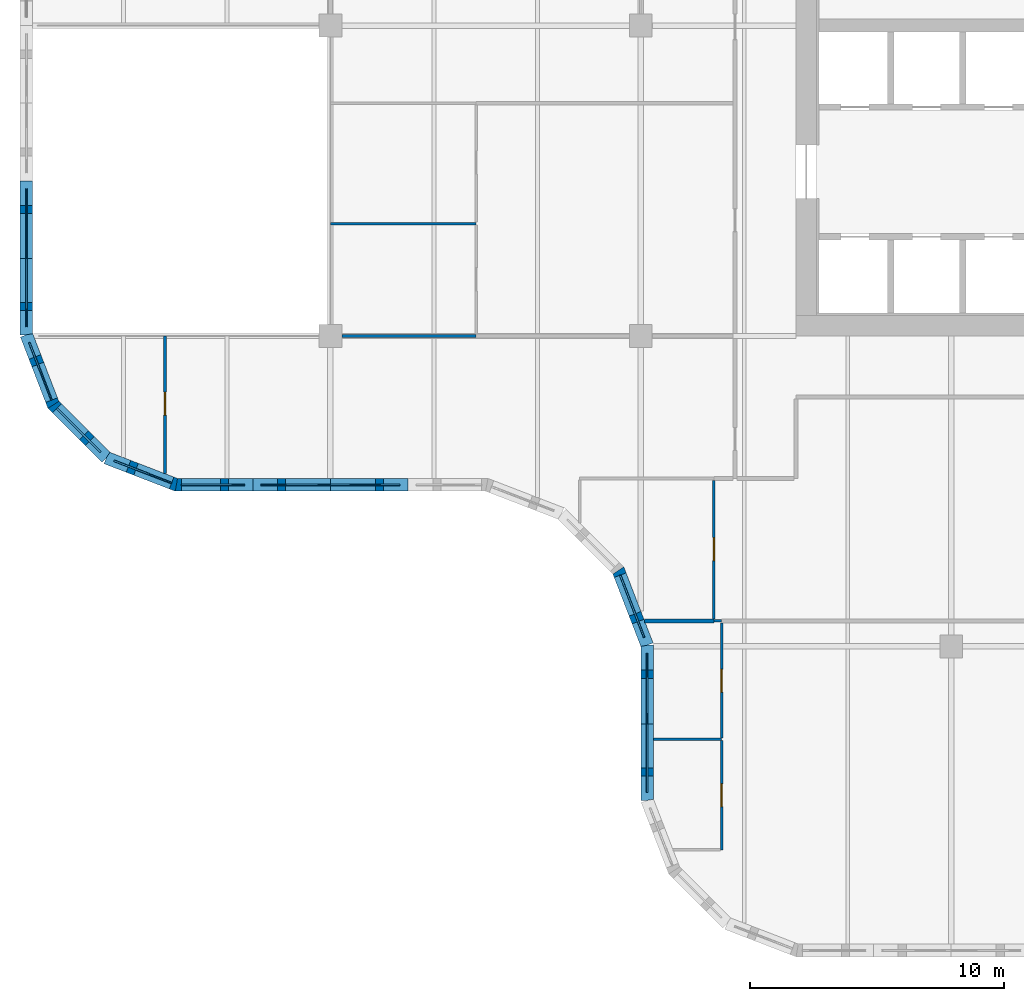
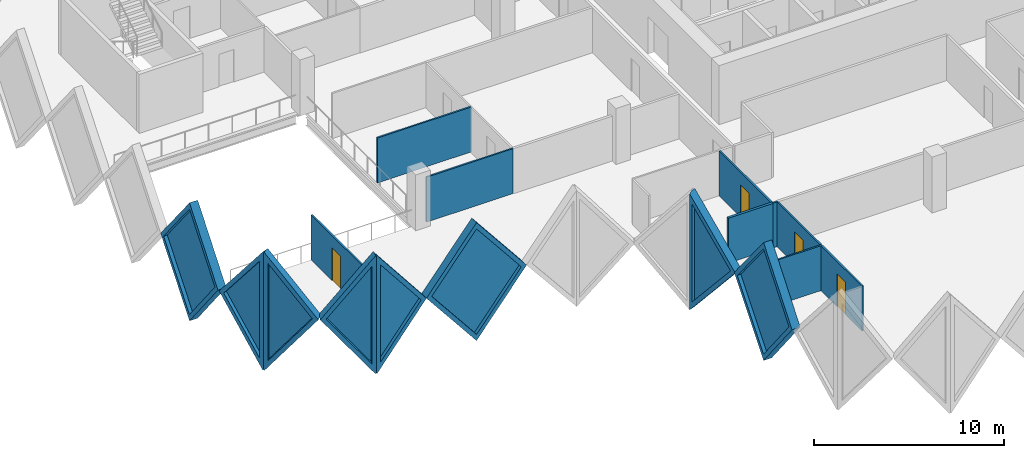
# One storey, part 4 of 21: 17 walls, 8 plates, 4 doors, 12 openings.
"""IFC4 building model written with IfcOpenShell, lengths in metres."""

from ifc_helpers import new_model, si_unit, direction, frame, frame_2d, origin, place, context, subcontext, project, spatial, polyline, rectangle, outline, extrude, faceted_brep, source, transform, mapped, material, layer, layer_set, type_object, element, fill, save


model = new_model("IFC4")

# Units and contexts
model_context = context("Model", 3, precision=1e-05, world=origin(), true_north=direction((0.0, 1.0)))
body_context = subcontext(model_context, "Body", "Model", "MODEL_VIEW")
ifc_project = project(units=[si_unit("LENGTHUNIT", "METRE"), si_unit("AREAUNIT", "SQUARE_METRE"), si_unit("VOLUMEUNIT", "CUBIC_METRE"), si_unit("PLANEANGLEUNIT", "RADIAN"), si_unit("MASSUNIT", "GRAM", prefix="KILO")], contexts=[model_context])

# Site, building, storey
site_placement = place(None, origin())
site = spatial("IfcSite", under=ifc_project, at=site_placement, CompositionType="ELEMENT")
building_placement = place(site_placement, origin())
building = spatial("IfcBuilding", under=site, at=building_placement, Name="Tessera Gate Towers", CompositionType="ELEMENT")
storey_placement = place(building_placement, frame((0.0, 0.0, 91.39990234375)))
storey = spatial("IfcBuildingStorey", under=building, at=storey_placement, Name="L22", CompositionType="ELEMENT", Elevation=91.39990234375)

# Wall, opening, door
ifc_material_1 = material(Name="Glass", Category="glass")
ifc_layer_1 = layer(ifc_material_1, 0.10009765625)
ifc_layer_set_1 = layer_set([ifc_layer_1], Name="GLAZED PARTITION 100")
wall_type_1 = type_object("IfcWallType", Name="GLAZED PARTITION 100", PredefinedType="PARTITIONING", material=ifc_layer_set_1)
wall_1_placement = place(storey_placement, frame((27.574951171875, 4.199951171875, 0.0), z_axis=(0.0, 0.0, 1.0), x_axis=(0.0, 1.0, 0.0)))
wall_1 = element("IfcWall", 1, at=wall_1_placement, inside=storey, type_object=wall_type_1, Name="T1-L22-PW-004", PredefinedType="PARTITIONING", context=body_context, shape_type="SweptSolid", body=[
    extrude(rectangle(XDim=4.296875, YDim=0.10009765625, at=frame_2d((2.1484375, 0.0))), origin(), (0.0, 0.0, 1.0), 2.89501953125),
])
shared_shape_1 = source(origin(), body_context, "Body", "SweptSolid", [
    extrude(rectangle(XDim=0.89990234375, YDim=2.10009765625, at=frame_2d((0.449951171875, 1.050048828125))), frame((0.0, 0.06005859375, 0.0), z_axis=(0.0, -1.0, 0.0), x_axis=(1.0, 0.0, 0.0)), (0.0, 0.0, 1.0), 0.1201171875),
])
opening_1_placement = place(wall_1_placement, frame((1.699951171875, 0.0, 0.0)))
opening_1 = element("IfcOpeningElement", 2, at=opening_1_placement, cuts=wall_1, Name="Opening D690-A08-08", PredefinedType="OPENING", context=body_context, shape_type="MappedRepresentation", body=[
    mapped(shared_shape_1, transform((0.0, 0.0, 0.0), scale=1.0)),
])
ifc_material_2 = material(Name="Glass in aluminium frame", Category="aluminium")
door_type = type_object("IfcDoorType", Name="GLAZED DOOR 900 NOT RATED", OperationType="NOTDEFINED", PredefinedType="DOOR", material=ifc_material_2)
shared_shape_2 = source(origin(), body_context, "Body", "SweptSolid", [
    extrude(rectangle(XDim=0.89990234375, YDim=2.10009765625, at=frame_2d((0.449951171875, 1.050048828125))), frame((0.0, 0.02490234375, 0.0), z_axis=(0.0, -1.0, 0.0), x_axis=(1.0, 0.0, 0.0)), (0.0, 0.0, 1.0), 0.050048828125),
])
door_1_placement = place(opening_1_placement, origin())
door_1 = element("IfcDoor", 3, at=door_1_placement, inside=storey, type_object=door_type, Name="T1-L22-PD-016", OperationType="SINGLE_SWING_LEFT", OverallHeight=2.10009765625, OverallWidth=0.89990234375, PredefinedType="DOOR", context=body_context, shape_type="MappedRepresentation", body=[
    mapped(shared_shape_2, transform((0.0, 0.0, 0.0), scale=1.0)),
])
fill(opening_1, door_1)

wall_2_placement = place(storey_placement, frame((27.574951171875, 8.598876953125, 0.0), z_axis=(0.0, 0.0, 1.0), x_axis=(0.0, 1.0, 0.0)))
wall_2 = element("IfcWall", 4, at=wall_2_placement, inside=storey, type_object=wall_type_1, Name="T1-L22-PW-007", PredefinedType="PARTITIONING", context=body_context, shape_type="SweptSolid", body=[
    extrude(rectangle(XDim=4.525146484375, YDim=0.10009765625, at=frame_2d((2.2626953125, 0.0))), origin(), (0.0, 0.0, 1.0), 2.89501953125),
])
opening_2_placement = place(wall_2_placement, frame((1.800048828125, 0.0, 0.0)))
opening_2 = element("IfcOpeningElement", 5, at=opening_2_placement, cuts=wall_2, Name="Opening D690-A08-02", PredefinedType="OPENING", context=body_context, shape_type="MappedRepresentation", body=[
    mapped(shared_shape_1, transform((0.0, 0.0, 0.0), scale=1.0)),
])
door_2_placement = place(opening_2_placement, origin())
door_2 = element("IfcDoor", 6, at=door_2_placement, inside=storey, type_object=door_type, Name="T1-L22-PD-005", OperationType="SINGLE_SWING_LEFT", OverallHeight=2.10009765625, OverallWidth=0.89990234375, PredefinedType="DOOR", context=body_context, shape_type="MappedRepresentation", body=[
    mapped(shared_shape_2, transform((0.0, 0.0, 0.0), scale=1.0)),
])
fill(opening_2, door_2)

# Wall
wall_3_placement = place(storey_placement, frame((27.27587890625, 13.199951171875, 0.0), z_axis=(0.0, 0.0, 1.0), x_axis=(1.0, 0.0, 0.0)))
element("IfcWall", 7, at=wall_3_placement, inside=storey, type_object=wall_type_1, Name="T1-L22-PW-010", PredefinedType="PARTITIONING", context=body_context, shape_type="SweptSolid", body=[
    extrude(rectangle(XDim=0.298095703125, YDim=0.10009765625, at=frame_2d((0.14892578125, 0.0))), origin(), (0.0, 0.0, 1.0), 2.89501953125),
])

# Wall, opening, door
wall_4_placement = place(storey_placement, frame((27.27490234375, 13.27587890625, 0.0), z_axis=(0.0, 0.0, 1.0), x_axis=(0.0, 1.0, 0.0)))
wall_4 = element("IfcWall", 8, at=wall_4_placement, inside=storey, type_object=wall_type_1, Name="T1-L22-PW-012", PredefinedType="PARTITIONING", context=body_context, shape_type="SweptSolid", body=[
    extrude(rectangle(XDim=5.4482421875, YDim=0.10009765625, at=frame_2d((2.72412109375, 0.0))), origin(), (0.0, 0.0, 1.0), 2.89501953125),
])
opening_3_placement = place(wall_4_placement, frame((2.300048828125, 0.0, 0.0)))
opening_3 = element("IfcOpeningElement", 9, at=opening_3_placement, cuts=wall_4, Name="Opening D690-A08-05", PredefinedType="OPENING", context=body_context, shape_type="MappedRepresentation", body=[
    mapped(shared_shape_1, transform((0.0, 0.0, 0.0), scale=1.0)),
])
door_3_placement = place(opening_3_placement, origin())
door_3 = element("IfcDoor", 10, at=door_3_placement, inside=storey, type_object=door_type, Name="T1-L22-PD-010", OperationType="SINGLE_SWING_LEFT", OverallHeight=2.10009765625, OverallWidth=0.89990234375, PredefinedType="DOOR", context=body_context, shape_type="MappedRepresentation", body=[
    mapped(shared_shape_2, transform((0.0, 0.0, 0.0), scale=1.0)),
])
fill(opening_3, door_3)

wall_5_placement = place(storey_placement, frame((5.699951171875, 18.990234375, 0.0), z_axis=(0.0, 0.0, 1.0), x_axis=(0.0, 1.0, 0.0)))
wall_5 = element("IfcWall", 11, at=wall_5_placement, inside=storey, type_object=wall_type_1, Name="T1-L22-PW-021", PredefinedType="PARTITIONING", context=body_context, shape_type="SweptSolid", body=[
    extrude(rectangle(XDim=5.40966796875, YDim=0.10009765625, at=frame_2d((2.704833984375, 0.0))), origin(), (0.0, 0.0, 1.0), 2.89501953125),
])
opening_4_placement = place(wall_5_placement, frame((2.300048828125, 0.0, 0.0)))
opening_4 = element("IfcOpeningElement", 12, at=opening_4_placement, cuts=wall_5, Name="Opening D690-A08-04", PredefinedType="OPENING", context=body_context, shape_type="MappedRepresentation", body=[
    mapped(shared_shape_1, transform((0.0, 0.0, 0.0), scale=1.0)),
])
door_4_placement = place(opening_4_placement, origin())
door_4 = element("IfcDoor", 13, at=door_4_placement, inside=storey, type_object=door_type, Name="T1-L22-PD-009", OperationType="SINGLE_SWING_LEFT", OverallHeight=2.10009765625, OverallWidth=0.89990234375, PredefinedType="DOOR", context=body_context, shape_type="MappedRepresentation", body=[
    mapped(shared_shape_2, transform((0.0, 0.0, 0.0), scale=1.0)),
])
fill(opening_4, door_4)

# Walls
wall_6_placement = place(storey_placement, frame((12.65087890625, 24.39990234375, 0.0), z_axis=(0.0, 0.0, 1.0), x_axis=(1.0, 0.0, 0.0)))
element("IfcWall", 14, at=wall_6_placement, inside=storey, type_object=wall_type_1, Name="T1-L22-PW-026", PredefinedType="PARTITIONING", context=body_context, shape_type="SweptSolid", body=[
    extrude(rectangle(XDim=5.273193359375, YDim=0.10009765625, at=frame_2d((2.63671875, 0.0))), origin(), (0.0, 0.0, 1.0), 2.89501953125),
])
ifc_material_3 = material(Name="Gypsum board on steel studs", Category="steel")
ifc_layer_2 = layer(ifc_material_3, 0.10009765625)
ifc_layer_set_2 = layer_set([ifc_layer_2], Name="PARTITION 100")
wall_type_2 = type_object("IfcWallType", Name="PARTITION 100", PredefinedType="PARTITIONING", material=ifc_layer_set_2)
wall_7_placement = place(storey_placement, frame((24.89990234375, 8.548095703125, 0.0), z_axis=(0.0, 0.0, 1.0), x_axis=(1.0, 0.0, 0.0)))
element("IfcWall", 15, at=wall_7_placement, inside=storey, type_object=wall_type_2, Name="T1-L22-PW-006", PredefinedType="PARTITIONING", context=body_context, shape_type="SweptSolid", body=[
    extrude(rectangle(XDim=2.675048828125, YDim=0.10009765625, at=frame_2d((1.33740234375, 0.0))), origin(), (0.0, 0.0, 1.0), 2.89501953125),
])
wall_8_placement = place(storey_placement, frame((12.199951171875, 28.820068359375, 0.0), z_axis=(0.0, 0.0, 1.0), x_axis=(1.0, 0.0, 0.0)))
element("IfcWall", 16, at=wall_8_placement, inside=storey, type_object=wall_type_2, Name="T1-L22-PW-030", PredefinedType="PARTITIONING", context=body_context, shape_type="SweptSolid", body=[
    extrude(rectangle(XDim=5.72509765625, YDim=0.10009765625, at=frame_2d((2.862548828125, 0.0))), origin(), (0.0, 0.0, 1.0), 2.89501953125),
])
ifc_material_4 = material(Name="Gypsum board on steel studs, mineral wool", Category="steel")
ifc_layer_3 = layer(ifc_material_4, 0.14990234375)
ifc_layer_set_3 = layer_set([ifc_layer_3], Name="TENANCY WALL 150")
wall_type_3 = type_object("IfcWallType", Name="TENANCY WALL 150", PredefinedType="PARTITIONING", material=ifc_layer_set_3)
wall_9_placement = place(storey_placement, frame((24.55029296875, 13.199951171875, 0.0), z_axis=(0.0, 0.0, 1.0), x_axis=(1.0, 0.0, 0.0)))
element("IfcWall", 17, at=wall_9_placement, inside=storey, type_object=wall_type_3, Name="T1-L22-PW-009", PredefinedType="PARTITIONING", context=body_context, shape_type="SweptSolid", body=[
    extrude(rectangle(XDim=2.724609375, YDim=0.14990234375, at=frame_2d((1.3623046875, 0.0))), origin(), (0.0, 0.0, 1.0), 2.89501953125),
])

# Wall, opening, plate
ifc_material_5 = material(Name="Precast concrete C60/75 white", Category="concrete")
ifc_layer_4 = layer(ifc_material_5, 0.5)
ifc_layer_set_4 = layer_set([ifc_layer_4], Name="TS3 corner tessera")
wall_type_4 = type_object("IfcWallType", Name="TS3 corner tessera", PredefinedType="SOLIDWALL", material=ifc_layer_set_4)
shared_shape_3 = source(origin(), body_context, "Body", "Brep", [
    faceted_brep([(0.046630859375, -0.25, 0.0), (3.050048828125, -0.25, 3.7998046875), (0.046630859375, -0.25, 7.599853515625), (0.0, -0.25, 7.539794921875), (0.0, -0.25, 0.06005859375), (0.09326171875, 0.25, 7.541015625), (3.050048828125, 0.25, 3.7998046875), (0.09326171875, 0.25, 0.058837890625), (0.046630859375, 0.0, 0.0), (0.046630859375, 0.0, 7.599853515625)], [[[0, 1, 2, 3, 4]], [[5, 6, 7]], [[7, 6, 1, 0, 8]], [[6, 5, 9, 2, 1]], [[3, 2, 9]], [[8, 0, 4]], [[7, 8, 4, 3, 9, 5]]]),
])
wall_10_placement = place(storey_placement, frame((6.099853515625, 18.550048828125, -3.7998046875), z_axis=(0.0, 0.0, 1.0), x_axis=(1.0, 0.0, 0.0)))
wall_10 = element("IfcWall", 18, at=wall_10_placement, inside=storey, type_object=wall_type_4, Name="Precast corner tessera T1 TS3-0498", PredefinedType="SOLIDWALL", context=body_context, shape_type="MappedRepresentation", body=[
    mapped(shared_shape_3, transform((0.0, 0.0, 0.0), scale=1.0)),
])
shared_shape_4 = source(origin(), body_context, "Body", "SweptSolid", [
    extrude(outline(polyline([(0.24658203125, 0.656005859375), (2.7314453125, 3.7998046875), (0.24658203125, 6.943603515625), (0.24658203125, 0.656005859375)])), frame((0.0, 0.260009765625, 0.0), z_axis=(0.0, -1.0, 0.0), x_axis=(1.0, 0.0, 0.0)), (0.0, 0.0, 1.0), 0.52001953125),
])
opening_5_placement = place(wall_10_placement, origin())
opening_5 = element("IfcOpeningElement", 19, at=opening_5_placement, cuts=wall_10, Name="Opening T1-PL2-0743", PredefinedType="OPENING", context=body_context, shape_type="MappedRepresentation", body=[
    mapped(shared_shape_4, transform((0.0, 0.0, 0.0), scale=1.0)),
])
ifc_material_6 = material(Name="Low-e laminated glass", Category="glass")
ifc_layer_5 = layer(ifc_material_6, 0.06005859375)
ifc_layer_set_5 = layer_set([ifc_layer_5], Name="PL2 rhombic pane")
plate_type = type_object("IfcPlateType", Name="PL2 rhombic pane", PredefinedType="SHEET", material=ifc_layer_set_5)
shared_shape_5 = source(origin(), body_context, "Body", "SweptSolid", [
    extrude(outline(polyline([(0.24658203125, 0.656005859375), (2.7314453125, 3.7998046875), (0.24658203125, 6.943603515625), (0.24658203125, 0.656005859375)])), frame((0.0, 0.030029296875, 0.0), z_axis=(0.0, -1.0, 0.0), x_axis=(1.0, 0.0, 0.0)), (0.0, 0.0, 1.0), 0.06005859375),
])
plate_1_placement = place(opening_5_placement, origin())
plate_1 = element("IfcPlate", 20, at=plate_1_placement, inside=storey, type_object=plate_type, Name="Glass pane T1 PL2-0743", PredefinedType="SHEET", context=body_context, shape_type="MappedRepresentation", body=[
    mapped(shared_shape_5, transform((0.0, 0.0, 0.0), scale=1.0)),
])
fill(opening_5, plate_1)

ifc_material_7 = material(Name="Precast concrete C60/75 white", Category="concrete")
ifc_layer_6 = layer(ifc_material_7, 0.5)
ifc_layer_set_6 = layer_set([ifc_layer_6], Name="TS1 tessera")
wall_type_5 = type_object("IfcWallType", Name="TS1 tessera", PredefinedType="SOLIDWALL", material=ifc_layer_set_6)
shared_shape_6 = source(origin(), body_context, "Body", "SweptSolid", [
    extrude(outline(polyline([(3.050048828125, 0.0), (6.10009765625, 3.7998046875), (3.050048828125, 7.599853515625), (0.0, 3.7998046875), (3.050048828125, 0.0)])), frame((0.0, 0.25, 0.0), z_axis=(0.0, -1.0, 0.0), x_axis=(1.0, 0.0, 0.0)), (0.0, 0.0, 1.0), 0.5),
])
wall_11_placement = place(storey_placement, frame((9.14990234375, 18.550048828125, -3.7998046875), z_axis=(0.0, 0.0, 1.0), x_axis=(1.0, 0.0, 0.0)))
wall_11 = element("IfcWall", 21, at=wall_11_placement, inside=storey, type_object=wall_type_5, Name="Precast tessera T1 TS1-0366", PredefinedType="SOLIDWALL", context=body_context, shape_type="MappedRepresentation", body=[
    mapped(shared_shape_6, transform((0.0, 0.0, 0.0), scale=1.0)),
])
shared_shape_7 = source(origin(), body_context, "Body", "SweptSolid", [
    extrude(outline(polyline([(3.050048828125, 0.3994140625), (5.779541015625, 3.7998046875), (3.050048828125, 7.200439453125), (0.320556640625, 3.7998046875), (3.050048828125, 0.3994140625)])), frame((0.0, 0.260009765625, 0.0), z_axis=(0.0, -1.0, 0.0), x_axis=(1.0, 0.0, 0.0)), (0.0, 0.0, 1.0), 0.52001953125),
])
opening_6_placement = place(wall_11_placement, origin())
opening_6 = element("IfcOpeningElement", 22, at=opening_6_placement, cuts=wall_11, Name="Opening T1-PL2-0744", PredefinedType="OPENING", context=body_context, shape_type="MappedRepresentation", body=[
    mapped(shared_shape_7, transform((0.0, 0.0, 0.0), scale=1.0)),
])
shared_shape_8 = source(origin(), body_context, "Body", "SweptSolid", [
    extrude(outline(polyline([(3.050048828125, 0.3994140625), (5.779541015625, 3.7998046875), (3.050048828125, 7.200439453125), (0.320556640625, 3.7998046875), (3.050048828125, 0.3994140625)])), frame((0.0, 0.030029296875, 0.0), z_axis=(0.0, -1.0, 0.0), x_axis=(1.0, 0.0, 0.0)), (0.0, 0.0, 1.0), 0.06005859375),
])
plate_2_placement = place(opening_6_placement, origin())
plate_2 = element("IfcPlate", 23, at=plate_2_placement, inside=storey, type_object=plate_type, Name="Glass pane T1 PL2-0744", PredefinedType="SHEET", context=body_context, shape_type="MappedRepresentation", body=[
    mapped(shared_shape_8, transform((0.0, 0.0, 0.0), scale=1.0)),
])
fill(opening_6, plate_2)

shared_shape_9 = source(origin(), body_context, "Body", "Brep", [
    faceted_brep([(3.050048828125, -0.25, 0.0), (6.053466796875, -0.25, 3.7998046875), (3.050048828125, -0.25, 7.599853515625), (0.0, -0.25, 3.7998046875), (0.0, 0.25, 3.7998046875), (3.050048828125, 0.25, 7.599853515625), (6.0068359375, 0.25, 3.858642578125), (6.0068359375, 0.25, 3.740966796875), (3.050048828125, 0.25, 0.0), (6.053466796875, 0.0, 3.7998046875)], [[[0, 1, 2, 3]], [[4, 5, 6, 7, 8]], [[8, 7, 9, 1, 0]], [[6, 5, 2, 1, 9]], [[5, 4, 3, 2]], [[4, 8, 0, 3]], [[9, 7, 6]]]),
])
wall_12_placement = place(storey_placement, frame((0.25, 30.5, -3.7998046875), z_axis=(0.0, 0.0, 1.0), x_axis=(0.0, -1.0, 0.0)))
wall_12 = element("IfcWall", 24, at=wall_12_placement, inside=storey, type_object=wall_type_5, Name="Precast tessera T1 TS1-0365", PredefinedType="SOLIDWALL", context=body_context, shape_type="MappedRepresentation", body=[
    mapped(shared_shape_9, transform((0.0, 0.0, 0.0), scale=1.0)),
])
shared_shape_10 = source(origin(), body_context, "Body", "SweptSolid", [
    extrude(outline(polyline([(3.048583984375, 0.401123046875), (5.73486328125, 3.7998046875), (3.048583984375, 7.19873046875), (0.320556640625, 3.7998046875), (3.048583984375, 0.401123046875)])), frame((0.0, 0.260009765625, 0.0), z_axis=(0.0, -1.0, 0.0), x_axis=(1.0, 0.0, 0.0)), (0.0, 0.0, 1.0), 0.52001953125),
])
opening_7_placement = place(wall_12_placement, origin())
opening_7 = element("IfcOpeningElement", 25, at=opening_7_placement, cuts=wall_12, Name="Opening T1-PL2-0739", PredefinedType="OPENING", context=body_context, shape_type="MappedRepresentation", body=[
    mapped(shared_shape_10, transform((0.0, 0.0, 0.0), scale=1.0)),
])
shared_shape_11 = source(origin(), body_context, "Body", "SweptSolid", [
    extrude(outline(polyline([(3.048583984375, 0.401123046875), (5.73486328125, 3.7998046875), (3.048583984375, 7.19873046875), (0.320556640625, 3.7998046875), (3.048583984375, 0.401123046875)])), frame((0.0, 0.030029296875, 0.0), z_axis=(0.0, -1.0, 0.0), x_axis=(1.0, 0.0, 0.0)), (0.0, 0.0, 1.0), 0.06005859375),
])
plate_3_placement = place(opening_7_placement, origin())
plate_3 = element("IfcPlate", 26, at=plate_3_placement, inside=storey, type_object=plate_type, Name="Glass pane T1 PL2-0739", PredefinedType="SHEET", context=body_context, shape_type="MappedRepresentation", body=[
    mapped(shared_shape_11, transform((0.0, 0.0, 0.0), scale=1.0)),
])
fill(opening_7, plate_3)

shared_shape_12 = source(origin(), body_context, "Body", "Brep", [
    faceted_brep([(2.950439453125, -0.25, 0.0), (3.00341796875, -0.25, 0.068359375), (3.00341796875, -0.25, 7.531494140625), (2.950439453125, -0.25, 7.599853515625), (0.0, -0.25, 3.7998046875), (0.046630859375, 0.25, 3.85986328125), (2.897705078125, 0.25, 7.53173828125), (2.897705078125, 0.25, 0.068115234375), (0.046630859375, 0.25, 3.73974609375), (2.950439453125, 0.00048828125, 0.0), (2.950439453125, 0.00048828125, 7.599853515625), (0.0, 0.0, 3.7998046875)], [[[0, 1, 2, 3, 4]], [[5, 6, 7, 8]], [[1, 0, 9]], [[10, 3, 2]], [[6, 5, 11, 4, 3, 10]], [[8, 7, 9, 0, 4, 11]], [[8, 11, 5]], [[1, 9, 7, 6, 10, 2]]]),
])
wall_13_placement = place(storey_placement, frame((0.25, 24.446533203125, -3.7998046875), z_axis=(0.0, 0.0, 1.0), x_axis=(0.35992665181, -0.932980602862, 0.0)))
wall_13 = element("IfcWall", 27, at=wall_13_placement, inside=storey, type_object=wall_type_4, Name="Precast corner tessera T1 TS3-0495", PredefinedType="SOLIDWALL", context=body_context, shape_type="MappedRepresentation", body=[
    mapped(shared_shape_12, transform((0.0, 0.0, 0.0), scale=1.0)),
])
shared_shape_13 = source(origin(), body_context, "Body", "SweptSolid", [
    extrude(outline(polyline([(2.75048828125, 6.9345703125), (0.31640625, 3.7998046875), (2.75048828125, 0.6650390625), (2.75048828125, 6.9345703125)])), frame((0.0, 0.260009765625, 0.0), z_axis=(0.0, -1.0, 0.0), x_axis=(1.0, 0.0, 0.0)), (0.0, 0.0, 1.0), 0.52001953125),
])
opening_8_placement = place(wall_13_placement, origin())
opening_8 = element("IfcOpeningElement", 28, at=opening_8_placement, cuts=wall_13, Name="Opening T1-PL2-0740", PredefinedType="OPENING", context=body_context, shape_type="MappedRepresentation", body=[
    mapped(shared_shape_13, transform((0.0, 0.0, 0.0), scale=1.0)),
])
shared_shape_14 = source(origin(), body_context, "Body", "SweptSolid", [
    extrude(outline(polyline([(2.75048828125, 6.9345703125), (0.31640625, 3.7998046875), (2.75048828125, 0.6650390625), (2.75048828125, 6.9345703125)])), frame((0.0, 0.030029296875, 0.0), z_axis=(0.0, -1.0, 0.0), x_axis=(1.0, 0.0, 0.0)), (0.0, 0.0, 1.0), 0.06005859375),
])
plate_4_placement = place(opening_8_placement, origin())
plate_4 = element("IfcPlate", 29, at=plate_4_placement, inside=storey, type_object=plate_type, Name="Glass pane T1 PL2-0740", PredefinedType="SHEET", context=body_context, shape_type="MappedRepresentation", body=[
    mapped(shared_shape_14, transform((0.0, 0.0, 0.0), scale=1.0)),
])
fill(opening_8, plate_4)

shared_shape_15 = source(origin(), body_context, "Body", "Brep", [
    faceted_brep([(2.950439453125, -0.25, 0.0), (2.9970703125, -0.25, 0.05908203125), (2.9970703125, -0.25, 7.540771484375), (2.950439453125, -0.25, 7.599853515625), (0.0, -0.25, 3.7998046875), (0.052978515625, 0.25, 3.867919921875), (2.904052734375, 0.25, 7.5400390625), (2.904052734375, 0.25, 0.059814453125), (0.052978515625, 0.25, 3.731689453125), (2.950439453125, 0.00048828125, 0.0), (2.950439453125, 0.00048828125, 7.599853515625), (0.0, 0.0, 3.7998046875)], [[[0, 1, 2, 3, 4]], [[5, 6, 7, 8]], [[1, 0, 9]], [[10, 3, 2]], [[6, 5, 11, 4, 3, 10]], [[8, 7, 9, 0, 4, 11]], [[8, 11, 5]], [[1, 9, 7, 6, 10, 2]]]),
])
wall_14_placement = place(storey_placement, frame((3.393798828125, 19.61181640625, -3.7998046875), z_axis=(0.0, 0.0, 1.0), x_axis=(0.932990326376, -0.359901446078, 0.0)))
wall_14 = element("IfcWall", 30, at=wall_14_placement, inside=storey, type_object=wall_type_4, Name="Precast corner tessera T1 TS3-0497", PredefinedType="SOLIDWALL", context=body_context, shape_type="MappedRepresentation", body=[
    mapped(shared_shape_15, transform((0.0, 0.0, 0.0), scale=1.0)),
])
opening_9_placement = place(wall_14_placement, origin())
opening_9 = element("IfcOpeningElement", 31, at=opening_9_placement, cuts=wall_14, Name="Opening T1-PL2-0742", PredefinedType="OPENING", context=body_context, shape_type="MappedRepresentation", body=[
    mapped(shared_shape_13, transform((0.0, 0.0, 0.0), scale=1.0)),
])
plate_5_placement = place(opening_9_placement, origin())
plate_5 = element("IfcPlate", 32, at=plate_5_placement, inside=storey, type_object=plate_type, Name="Glass pane T1 PL2-0742", PredefinedType="SHEET", context=body_context, shape_type="MappedRepresentation", body=[
    mapped(shared_shape_14, transform((0.0, 0.0, 0.0), scale=1.0)),
])
fill(opening_9, plate_5)

shared_shape_16 = source(origin(), body_context, "Body", "Brep", [
    faceted_brep([(0.052978515625, -0.25, 0.0), (2.9970703125, -0.25, 3.7998046875), (0.052978515625, -0.25, 7.599853515625), (0.0, -0.25, 7.53173828125), (0.0, -0.25, 0.068115234375), (0.10595703125, 0.25, 7.531494140625), (2.944091796875, 0.25, 3.867919921875), (2.944091796875, 0.25, 3.731689453125), (0.10595703125, 0.25, 0.068359375), (2.9970703125, 0.000244140625, 3.7998046875), (0.052978515625, 0.0, 0.0), (0.052978515625, 0.0, 7.599853515625)], [[[0, 1, 2, 3, 4]], [[5, 6, 7, 8]], [[8, 7, 9, 1, 0, 10]], [[6, 5, 11, 2, 1, 9]], [[3, 2, 11]], [[10, 0, 4]], [[8, 10, 4, 3, 11, 5]], [[9, 7, 6]]]),
])
wall_15_placement = place(storey_placement, frame((1.2744140625, 21.731201171875, -3.7998046875), z_axis=(0.0, 0.0, 1.0), x_axis=(0.707147509625, -0.707066050402, 0.0)))
wall_15 = element("IfcWall", 33, at=wall_15_placement, inside=storey, type_object=wall_type_4, Name="Precast corner tessera T1 TS3-0496", PredefinedType="SOLIDWALL", context=body_context, shape_type="MappedRepresentation", body=[
    mapped(shared_shape_16, transform((0.0, 0.0, 0.0), scale=1.0)),
])
shared_shape_17 = source(origin(), body_context, "Body", "SweptSolid", [
    extrude(outline(polyline([(0.2529296875, 0.666259765625), (2.680908203125, 3.7998046875), (0.2529296875, 6.93359375), (0.2529296875, 0.666259765625)])), frame((0.0, 0.260009765625, 0.0), z_axis=(0.0, -1.0, 0.0), x_axis=(1.0, 0.0, 0.0)), (0.0, 0.0, 1.0), 0.52001953125),
])
opening_10_placement = place(wall_15_placement, origin())
opening_10 = element("IfcOpeningElement", 34, at=opening_10_placement, cuts=wall_15, Name="Opening T1-PL2-0741", PredefinedType="OPENING", context=body_context, shape_type="MappedRepresentation", body=[
    mapped(shared_shape_17, transform((0.0, 0.0, 0.0), scale=1.0)),
])
shared_shape_18 = source(origin(), body_context, "Body", "SweptSolid", [
    extrude(outline(polyline([(0.2529296875, 0.666259765625), (2.680908203125, 3.7998046875), (0.2529296875, 6.93359375), (0.2529296875, 0.666259765625)])), frame((0.0, 0.030029296875, 0.0), z_axis=(0.0, -1.0, 0.0), x_axis=(1.0, 0.0, 0.0)), (0.0, 0.0, 1.0), 0.06005859375),
])
plate_6_placement = place(opening_10_placement, origin())
plate_6 = element("IfcPlate", 35, at=plate_6_placement, inside=storey, type_object=plate_type, Name="Glass pane T1 PL2-0741", PredefinedType="SHEET", context=body_context, shape_type="MappedRepresentation", body=[
    mapped(shared_shape_18, transform((0.0, 0.0, 0.0), scale=1.0)),
])
fill(opening_10, plate_6)

shared_shape_19 = source(origin(), body_context, "Body", "Brep", [
    faceted_brep([(0.10595703125, -0.25, 0.06396484375), (3.156005859375, -0.25, 3.74365234375), (3.156005859375, -0.25, 3.85595703125), (0.10595703125, -0.25, 7.535888671875), (0.0, 0.25, 7.5361328125), (0.052978515625, 0.25, 7.599853515625), (3.202392578125, 0.25, 3.7998046875), (0.052978515625, 0.25, 0.0), (0.0, 0.25, 0.063720703125), (3.202392578125, -0.000244140625, 3.7998046875), (0.052978515625, 0.0, 0.0), (0.052978515625, 0.0, 7.599853515625)], [[[0, 1, 2, 3]], [[4, 5, 6, 7, 8]], [[7, 6, 9, 1, 0, 10]], [[6, 5, 11, 3, 2, 9]], [[5, 4, 11]], [[8, 7, 10]], [[8, 10, 0, 3, 11, 4]], [[1, 9, 2]]]),
])
wall_16_placement = place(storey_placement, frame((23.497314453125, 15.234375, -3.7998046875), z_axis=(0.0, 0.0, 1.0), x_axis=(0.359913782069, -0.932985567668, 0.0)))
wall_16 = element("IfcWall", 36, at=wall_16_placement, inside=storey, type_object=wall_type_4, Name="Precast corner tessera T1 TS3-0502", PredefinedType="SOLIDWALL", context=body_context, shape_type="MappedRepresentation", body=[
    mapped(shared_shape_19, transform((0.0, 0.0, 0.0), scale=1.0)),
])
shared_shape_20 = source(origin(), body_context, "Body", "SweptSolid", [
    extrude(outline(polyline([(0.2529296875, 0.633056640625), (2.877685546875, 3.7998046875), (0.2529296875, 6.966796875), (0.2529296875, 0.633056640625)])), frame((0.0, 0.260009765625, 0.0), z_axis=(0.0, -1.0, 0.0), x_axis=(1.0, 0.0, 0.0)), (0.0, 0.0, 1.0), 0.52001953125),
])
opening_11_placement = place(wall_16_placement, origin())
opening_11 = element("IfcOpeningElement", 37, at=opening_11_placement, cuts=wall_16, Name="Opening T1-PL2-0748", PredefinedType="OPENING", context=body_context, shape_type="MappedRepresentation", body=[
    mapped(shared_shape_20, transform((0.0, 0.0, 0.0), scale=1.0)),
])
shared_shape_21 = source(origin(), body_context, "Body", "SweptSolid", [
    extrude(outline(polyline([(0.2529296875, 0.633056640625), (2.877685546875, 3.7998046875), (0.2529296875, 6.966796875), (0.2529296875, 0.633056640625)])), frame((0.0, 0.030029296875, 0.0), z_axis=(0.0, -1.0, 0.0), x_axis=(1.0, 0.0, 0.0)), (0.0, 0.0, 1.0), 0.06005859375),
])
plate_7_placement = place(opening_11_placement, origin())
plate_7 = element("IfcPlate", 38, at=plate_7_placement, inside=storey, type_object=plate_type, Name="Glass pane T1 PL2-0748", PredefinedType="SHEET", context=body_context, shape_type="MappedRepresentation", body=[
    mapped(shared_shape_21, transform((0.0, 0.0, 0.0), scale=1.0)),
])
fill(opening_11, plate_7)

shared_shape_22 = source(origin(), body_context, "Body", "Brep", [
    faceted_brep([(3.096435546875, -0.25, 0.0), (6.10009765625, -0.25, 3.7998046875), (3.096435546875, -0.25, 7.599853515625), (0.046630859375, -0.25, 3.85693359375), (0.046630859375, -0.25, 3.74267578125), (0.0, 0.25, 3.7998046875), (3.096435546875, 0.25, 7.599853515625), (6.053466796875, 0.25, 3.85888671875), (6.053466796875, 0.25, 3.74072265625), (3.096435546875, 0.25, 0.0), (6.10009765625, -0.00048828125, 3.7998046875), (0.0, 0.0, 3.7998046875)], [[[0, 1, 2, 3, 4]], [[5, 6, 7, 8, 9]], [[9, 8, 10, 1, 0]], [[7, 6, 2, 1, 10]], [[6, 5, 11, 3, 2]], [[5, 9, 0, 4, 11]], [[11, 4, 3]], [[10, 8, 7]]]),
])
wall_17_placement = place(storey_placement, frame((24.64990234375, 12.24658203125, -3.7998046875), z_axis=(0.0, 0.0, 1.0), x_axis=(0.0, -1.0, 0.0)))
wall_17 = element("IfcWall", 39, at=wall_17_placement, inside=storey, type_object=wall_type_5, Name="Precast tessera T1 TS1-0367", PredefinedType="SOLIDWALL", context=body_context, shape_type="MappedRepresentation", body=[
    mapped(shared_shape_22, transform((0.0, 0.0, 0.0), scale=1.0)),
])
shared_shape_23 = source(origin(), body_context, "Body", "SweptSolid", [
    extrude(outline(polyline([(3.093505859375, 0.3994140625), (5.78125, 3.7998046875), (3.093505859375, 7.200439453125), (0.322509765625, 3.7998046875), (3.093505859375, 0.3994140625)])), frame((0.0, 0.260009765625, 0.0), z_axis=(0.0, -1.0, 0.0), x_axis=(1.0, 0.0, 0.0)), (0.0, 0.0, 1.0), 0.52001953125),
])
opening_12_placement = place(wall_17_placement, origin())
opening_12 = element("IfcOpeningElement", 40, at=opening_12_placement, cuts=wall_17, Name="Opening T1-PL2-0749", PredefinedType="OPENING", context=body_context, shape_type="MappedRepresentation", body=[
    mapped(shared_shape_23, transform((0.0, 0.0, 0.0), scale=1.0)),
])
shared_shape_24 = source(origin(), body_context, "Body", "SweptSolid", [
    extrude(outline(polyline([(3.093505859375, 0.3994140625), (5.78125, 3.7998046875), (3.093505859375, 7.200439453125), (0.322509765625, 3.7998046875), (3.093505859375, 0.3994140625)])), frame((0.0, 0.030029296875, 0.0), z_axis=(0.0, -1.0, 0.0), x_axis=(1.0, 0.0, 0.0)), (0.0, 0.0, 1.0), 0.06005859375),
])
plate_8_placement = place(opening_12_placement, origin())
plate_8 = element("IfcPlate", 41, at=plate_8_placement, inside=storey, type_object=plate_type, Name="Glass pane T1 PL2-0749", PredefinedType="SHEET", context=body_context, shape_type="MappedRepresentation", body=[
    mapped(shared_shape_24, transform((0.0, 0.0, 0.0), scale=1.0)),
])
fill(opening_12, plate_8)

save(model, "model.ifc")
